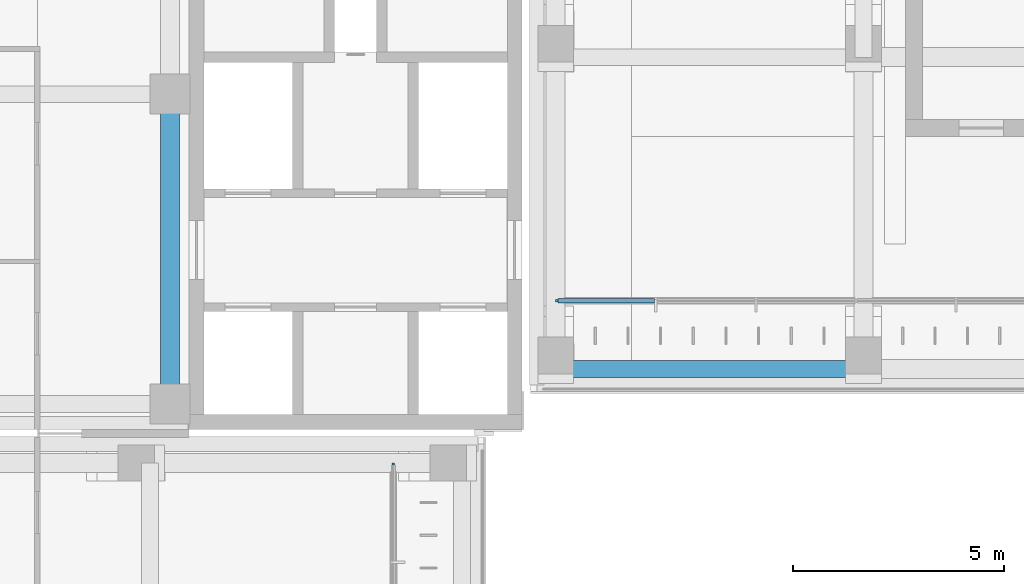
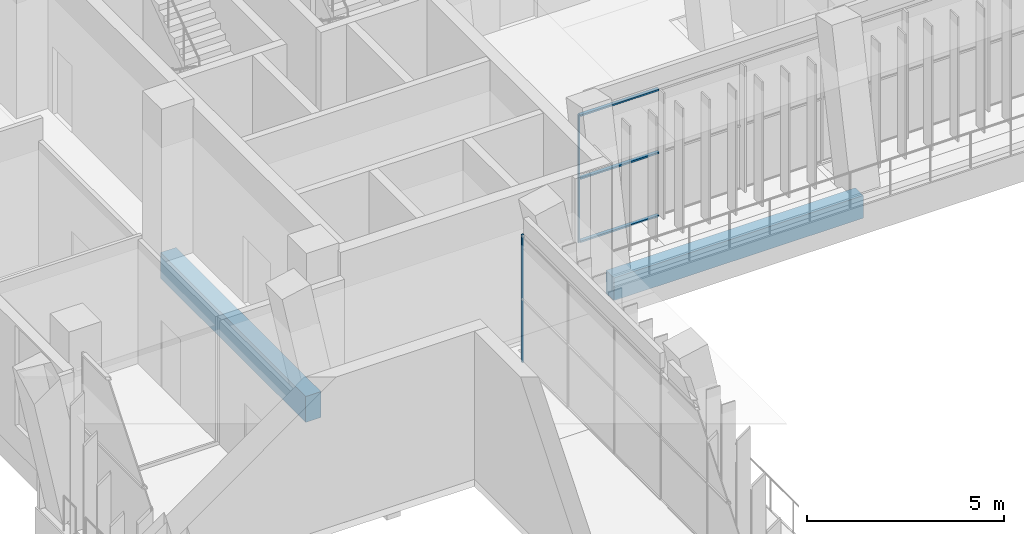
# One storey, part 31 of 92: 5 members, 2 beams, 2 elements without a shape of their own.
"""IFC4 building model written with IfcOpenShell, lengths in metres."""

import ifcopenshell
import ifcopenshell.guid

model = None  # the IFC model being written
_history = None  # IfcOwnerHistory: only IFC2X3 demands one
_inside = {}  # id of a spatial element -> (the spatial element, [elements in it])
_under = {}  # id of a project, library or spatial element -> (it, [spatial elements below it])
_declared = {}  # id of a project -> (the project, [libraries it declares])
_typed = {}  # id of a type object -> (the type object, [elements of that type])
_made_of = {}  # id of a material, layer set ... -> (it, [elements and type objects made of it])


def new_model(schema):
    """Start an empty IFC model of exactly this schema.

    Asked for "IFC4X3", IfcOpenShell would pick the latest addendum, in which some entities
    have other attributes; the version numbers below select the first issue.
    IFC2X3 requires an IfcOwnerHistory on every rooted entity: one is made here for all.
    """
    global model, _history
    if schema == "IFC4X3":
        model = ifcopenshell.file(schema_version=(4, 3, 0, 0))
    else:
        model = ifcopenshell.file(schema=schema)
    _inside.clear()
    _under.clear()
    _declared.clear()
    _typed.clear()
    _made_of.clear()
    _history = None
    if model.schema == "IFC2X3":
        org = make("IfcOrganization", Name="unknown")
        user = make(
            "IfcPersonAndOrganization",
            ThePerson=make("IfcPerson", FamilyName="unknown"),
            TheOrganization=org,
        )
        app = make(
            "IfcApplication",
            ApplicationDeveloper=org,
            Version="unknown",
            ApplicationFullName="unknown",
            ApplicationIdentifier="unknown",
        )
        _history = make(
            "IfcOwnerHistory",
            OwningUser=user,
            OwningApplication=app,
            ChangeAction="ADDED",
            CreationDate=0,
        )
    return model


def make(cls, **values):
    """One entity of the class cls with the attributes given. An attribute that is None is left unset."""
    return model.create_entity(
        cls, **{name: value for name, value in values.items() if value is not None}
    )


def rooted(cls, **values):
    """An entity with a GlobalId (a new one), such as an element, a storey or a relation."""
    return make(cls, GlobalId=ifcopenshell.guid.new(), OwnerHistory=_history, **values)


def si_unit(unit_type, name, prefix=None):
    """IfcSIUnit, for example si_unit("LENGTHUNIT", "METRE", prefix="MILLI")."""
    return make("IfcSIUnit", UnitType=unit_type, Prefix=prefix, Name=name)


def assignment(units):
    """IfcUnitAssignment: the units of a project."""
    return None if units is None else make("IfcUnitAssignment", Units=units)


def point(xyz):
    """IfcCartesianPoint."""
    return None if xyz is None else make("IfcCartesianPoint", Coordinates=xyz)


def direction(xyz):
    """IfcDirection."""
    return None if xyz is None else make("IfcDirection", DirectionRatios=xyz)


def frame(location, z_axis=None, x_axis=None):
    """IfcAxis2Placement3D, a coordinate frame: its origin and axes. An axis left out is left unset."""
    return make(
        "IfcAxis2Placement3D",
        Location=point(location),
        Axis=direction(z_axis),
        RefDirection=direction(x_axis),
    )


def frame_2d(location, x_axis=None):
    """IfcAxis2Placement2D, a coordinate frame in the plane: its origin and x axis."""
    return make(
        "IfcAxis2Placement2D", Location=point(location), RefDirection=direction(x_axis)
    )


def origin():
    """The frame at (0, 0, 0) with its axes left unset."""
    return frame((0.0, 0.0, 0.0))


def origin_2d():
    """The frame at (0, 0) in the plane with its x axis left unset."""
    return frame_2d((0.0, 0.0))


def place(relative_to, where):
    """IfcLocalPlacement: puts the frame where relative to a parent placement (None: the world)."""
    return make(
        "IfcLocalPlacement", PlacementRelTo=relative_to, RelativePlacement=where
    )


def context(
    kind, dimensions, precision=None, world=None, true_north=None, identifier=None
):
    """IfcGeometricRepresentationContext, for example the 3D "Model" context."""
    return make(
        "IfcGeometricRepresentationContext",
        ContextIdentifier=identifier,
        ContextType=kind,
        CoordinateSpaceDimension=dimensions,
        Precision=precision,
        WorldCoordinateSystem=world,
        TrueNorth=true_north,
    )


def subcontext(parent, identifier, kind, view, scale=None):
    """IfcGeometricRepresentationSubContext, for example "Body" below "Model"."""
    return make(
        "IfcGeometricRepresentationSubContext",
        ContextIdentifier=identifier,
        ContextType=kind,
        ParentContext=parent,
        TargetScale=scale,
        TargetView=view,
    )


def project(units=None, contexts=None):
    """IfcProject with its units and contexts."""
    return rooted(
        "IfcProject",
        Name="project",
        RepresentationContexts=contexts,
        UnitsInContext=assignment(units),
    )


def spatial(cls, under=None, at=None, **own):
    """A site, building, storey or space (cls), placed at a placement, below another one or the project."""
    s = rooted(cls, ObjectPlacement=at, **own)
    if under is not None:
        _under.setdefault(under.id(), (under, []))[1].append(s)
    return s


def profile(cls, at=None, kind="AREA", **sizes):
    """A parametric profile (cls). Its sizes go by their IFC names, for example OverallWidth=200.0."""
    return make(cls, ProfileType=kind, Position=at, **sizes)


def rectangle(**sizes):
    """IfcRectangleProfileDef."""
    return profile("IfcRectangleProfileDef", **sizes)


def extrude(swept, where, along, depth):
    """IfcExtrudedAreaSolid: the profile swept, set in the frame where, extruded along a direction by depth."""
    return make(
        "IfcExtrudedAreaSolid",
        SweptArea=swept,
        Position=where,
        ExtrudedDirection=direction(along),
        Depth=depth,
    )


def shape(context_of_items, identifier, shape_type, items):
    """IfcShapeRepresentation: the items that make up one representation, for example the "Body"."""
    return make(
        "IfcShapeRepresentation",
        ContextOfItems=context_of_items,
        RepresentationIdentifier=identifier,
        RepresentationType=shape_type,
        Items=items,
    )


def material(Name=None, Category=None):
    """IfcMaterial."""
    return make("IfcMaterial", Name=Name, Category=Category)


def material_profile(
    of_material, cross_section, Name=None, Category=None, Priority=None
):
    """IfcMaterialProfile: a cross section and its material."""
    return make(
        "IfcMaterialProfile",
        Name=Name,
        Material=of_material,
        Profile=cross_section,
        Priority=Priority,
        Category=Category,
    )


def profile_set(profiles, Name=None, composite=None):
    """IfcMaterialProfileSet."""
    return make(
        "IfcMaterialProfileSet",
        Name=Name,
        MaterialProfiles=profiles,
        CompositeProfile=composite,
    )


def made_of(thing, what):
    """Note that an element or type object is made of a material, layer set ...; save() writes the relation."""
    if what is not None:
        _made_of.setdefault(what.id(), (what, []))[1].append(thing)
    return thing


def type_object(cls, material=None, **own):
    """A type object (cls), such as IfcWallType, which elements share."""
    return made_of(rooted(cls, **own), material)


def element(
    cls,
    number,
    at=None,
    inside=None,
    cuts=None,
    type_object=None,
    material=None,
    context=None,
    identifier="Body",
    shape_type=None,
    held_by="IfcProductDefinitionShape",
    body=None,
    shapes=None,
    **own,
):
    """One element of the class cls, such as IfcWall. Its Tag is "e" and its number.

    at: its placement. inside: the storey or other place that contains it. cuts: it is an
    opening in that element (IfcRelVoidsElement). A single representation is given by context,
    identifier, shape_type and body (its items); several are given by shapes. held_by: the class
    of the entity that holds the representations. save() writes the other relations.
    """
    e = rooted(cls, Tag="e%d" % number, ObjectPlacement=at, **own)
    if body is not None:
        shapes = [shape(context, identifier, shape_type, body)]
    if shapes is not None:
        e.Representation = make(held_by, Representations=shapes)
    if inside is not None:
        _inside.setdefault(inside.id(), (inside, []))[1].append(e)
    if cuts is not None:
        rooted(
            "IfcRelVoidsElement", RelatingBuildingElement=cuts, RelatedOpeningElement=e
        )
    if type_object is not None:
        _typed.setdefault(type_object.id(), (type_object, []))[1].append(e)
    return made_of(e, material)


def aggregate(whole, parts):
    """IfcRelAggregates: a whole, such as a stair, and the parts it consists of."""
    return rooted("IfcRelAggregates", RelatingObject=whole, RelatedObjects=parts)


def save(model, path):
    """Write the relations noted so far, then the file.

    IfcRelAggregates (storeys below a building ...), IfcRelContainedInSpatialStructure (elements
    in a storey), IfcRelDefinesByType, IfcRelAssociatesMaterial and IfcRelDeclares: one each for
    every whole, place, type object, material and project.
    """
    for whole, parts in _under.values():
        aggregate(whole, parts)
    for where, things in _inside.values():
        rooted(
            "IfcRelContainedInSpatialStructure",
            RelatedElements=things,
            RelatingStructure=where,
        )
    for kind, things in _typed.values():
        rooted("IfcRelDefinesByType", RelatedObjects=things, RelatingType=kind)
    for what, things in _made_of.values():
        rooted("IfcRelAssociatesMaterial", RelatedObjects=things, RelatingMaterial=what)
    for by, libraries in _declared.values():
        rooted("IfcRelDeclares", RelatingContext=by, RelatedDefinitions=libraries)
    model.write(path)


model = new_model("IFC4")

# Units and contexts
model_context = context("Model", 3, precision=1e-05, world=origin(), true_north=direction((0.0, 1.0)))
body_context = subcontext(model_context, "Body", "Model", "MODEL_VIEW")
ifc_project = project(units=[si_unit("LENGTHUNIT", "METRE"), si_unit("AREAUNIT", "SQUARE_METRE"), si_unit("VOLUMEUNIT", "CUBIC_METRE"), si_unit("PLANEANGLEUNIT", "RADIAN"), si_unit("MASSUNIT", "GRAM", prefix="KILO")], contexts=[model_context])

# Site, building, storey
site_placement = place(None, origin())
site = spatial("IfcSite", under=ifc_project, at=site_placement, CompositionType="ELEMENT")
building_placement = place(site_placement, origin())
building = spatial("IfcBuilding", under=site, at=building_placement, Name="Lantern Court Media Centre", CompositionType="ELEMENT")
storey_placement = place(building_placement, frame((0.0, 0.0, 4.800048828125)))
storey = spatial("IfcBuildingStorey", under=building, at=storey_placement, Name="L01", CompositionType="ELEMENT", Elevation=4.800048828125)

# Curtain wall, member
ifc_material_1 = material(Name="Curtain wall bay 2400")
curtain_wall_type = type_object("IfcCurtainWallType", Name="Curtain wall bay 2400", PredefinedType="NOTDEFINED", material=ifc_material_1)
curtain_wall_1_placement = place(storey_placement, origin())
curtain_wall_1 = element("IfcCurtainWall", 1, at=curtain_wall_1_placement, inside=storey, type_object=curtain_wall_type, Name="Curtain wall N inner L01", PredefinedType="NOTDEFINED")
ifc_material_2 = material(Name="Anodised aluminium", Category="aluminium")
ifc_material_profile_1 = material_profile(ifc_material_2, rectangle(XDim=0.06005859375, YDim=0.050048828125, at=origin_2d()), Name="AL 50x60")
ifc_profile_set_1 = profile_set([ifc_material_profile_1], Name="Anodised aluminium")
member_type_1 = type_object("IfcMemberType", Name="Curtain wall mullion 50x60", PredefinedType="MULLION", material=ifc_profile_set_1)
member_1_placement = place(storey_placement, frame((24.72509765625, 99.14990234375, 0.0), z_axis=(0.0, 0.0, 1.0), x_axis=(0.0, 1.0, 0.0)))
member_1 = element("IfcMember", 2, at=member_1_placement, type_object=member_type_1, Name="CW2 mullion 1", PredefinedType="MULLION", context=body_context, shape_type="SweptSolid", body=[
    extrude(rectangle(XDim=0.06005859375, YDim=0.050048828125, at=origin_2d()), origin(), (0.0, 0.0, 1.0), 3.949951171875),
])

curtain_wall_2_placement = place(storey_placement, origin())
curtain_wall_2 = element("IfcCurtainWall", 3, at=curtain_wall_2_placement, inside=storey, type_object=curtain_wall_type, Name="Curtain wall W inner L01", PredefinedType="NOTDEFINED")
member_2_placement = place(storey_placement, frame((20.85009765625, 95.27490234375, 0.0), z_axis=(0.0, 0.0, 1.0), x_axis=(-1.0, 0.0, 0.0)))
member_2 = element("IfcMember", 4, at=member_2_placement, type_object=member_type_1, Name="CW2 mullion 14", PredefinedType="MULLION", context=body_context, shape_type="SweptSolid", body=[
    extrude(rectangle(XDim=0.06005859375, YDim=0.050048828125, at=origin_2d()), origin(), (0.0, 0.0, 1.0), 3.949951171875),
])
aggregate(curtain_wall_2, [member_2])

# Member
ifc_material_profile_2 = material_profile(ifc_material_2, rectangle(XDim=0.10009765625, YDim=0.050048828125, at=origin_2d()), Name="AL 50x100")
ifc_profile_set_2 = profile_set([ifc_material_profile_2], Name="Anodised aluminium")
member_type_2 = type_object("IfcMemberType", Name="Curtain wall transom 100x50", PredefinedType="USERDEFINED", material=ifc_profile_set_2)
member_3_placement = place(storey_placement, frame((24.75, 99.14990234375, 0.02490234375), z_axis=(1.0, 0.0, 0.0), x_axis=(0.0, 1.0, 0.0)))
member_3 = element("IfcMember", 5, at=member_3_placement, type_object=member_type_2, Name="CW2 transom 1.1", ObjectType="TRANSOM", PredefinedType="USERDEFINED", context=body_context, shape_type="SweptSolid", body=[
    extrude(rectangle(XDim=0.10009765625, YDim=0.050048828125, at=origin_2d()), origin(), (0.0, 0.0, 1.0), 2.298828125),
])

member_4_placement = place(storey_placement, frame((24.75, 99.14990234375, 1.974853515625), z_axis=(1.0, 0.0, 0.0), x_axis=(0.0, 1.0, 0.0)))
member_4 = element("IfcMember", 6, at=member_4_placement, type_object=member_type_2, Name="CW2 transom 1.2", ObjectType="TRANSOM", PredefinedType="USERDEFINED", context=body_context, shape_type="SweptSolid", body=[
    extrude(rectangle(XDim=0.10009765625, YDim=0.050048828125, at=origin_2d()), origin(), (0.0, 0.0, 1.0), 2.298828125),
])

member_5_placement = place(storey_placement, frame((24.75, 99.14990234375, 3.925048828125), z_axis=(1.0, 0.0, 0.0), x_axis=(0.0, 1.0, 0.0)))
member_5 = element("IfcMember", 7, at=member_5_placement, type_object=member_type_2, Name="CW2 transom 1.3", ObjectType="TRANSOM", PredefinedType="USERDEFINED", context=body_context, shape_type="SweptSolid", body=[
    extrude(rectangle(XDim=0.10009765625, YDim=0.050048828125, at=origin_2d()), origin(), (0.0, 0.0, 1.0), 2.298828125),
])

aggregate(curtain_wall_1, [member_1, member_3, member_4, member_5])

# Beams
ifc_material_3 = material(Name="Concrete C35", Category="concrete")
ifc_material_profile_3 = material_profile(ifc_material_3, rectangle(XDim=0.39990234375, YDim=0.699951171875, at=origin_2d()), Name="RC 400x700")
ifc_profile_set_3 = profile_set([ifc_material_profile_3], Name="Concrete C35")
beam_type_1 = type_object("IfcBeamType", Name="RC BEAM 400x700", PredefinedType="BEAM", material=ifc_profile_set_3)
beam_1_placement = place(storey_placement, frame((24.699951171875, 97.527099609375, -0.35009765625), z_axis=(1.0, 0.0, 0.0), x_axis=(0.0, 1.0, 0.0)))
element("IfcBeam", 8, at=beam_1_placement, inside=storey, type_object=beam_type_1, Name="LB-N-L01-0-0", PredefinedType="BEAM", context=body_context, shape_type="SweptSolid", body=[
    extrude(rectangle(XDim=0.39990234375, YDim=0.699951171875, at=origin_2d()), origin(), (0.0, 0.0, 1.0), 7.300048828125),
])
ifc_material_profile_4 = material_profile(ifc_material_3, rectangle(XDim=0.449951171875, YDim=0.800048828125, at=origin_2d()), Name="RC 450x800")
ifc_profile_set_4 = profile_set([ifc_material_profile_4], Name="Concrete C35")
beam_type_2 = type_object("IfcBeamType", Name="RC BEAM 450x800", PredefinedType="BEAM", material=ifc_profile_set_4)
beam_2_placement = place(storey_placement, frame((15.550048828125, 96.699951171875, -0.400146484375), z_axis=(0.0, 1.0, 0.0), x_axis=(-1.0, 0.0, 0.0)))
element("IfcBeam", 9, at=beam_2_placement, inside=storey, type_object=beam_type_2, Name="BB-NW-L01-X0-15", PredefinedType="BEAM", context=body_context, shape_type="SweptSolid", body=[
    extrude(rectangle(XDim=0.449951171875, YDim=0.800048828125, at=origin_2d()), origin(), (0.0, 0.0, 1.0), 7.35009765625),
])

save(model, "model.ifc")
